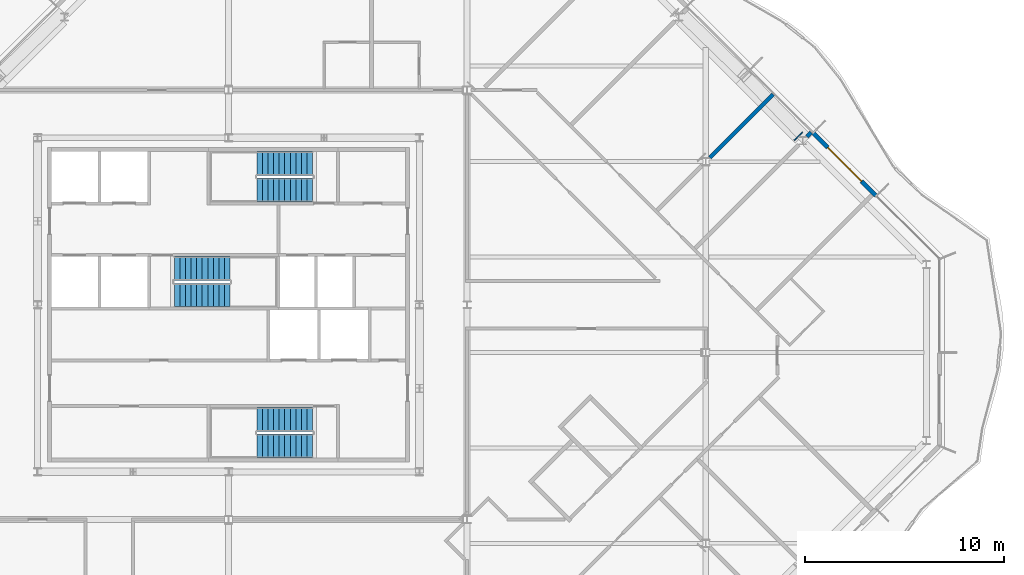
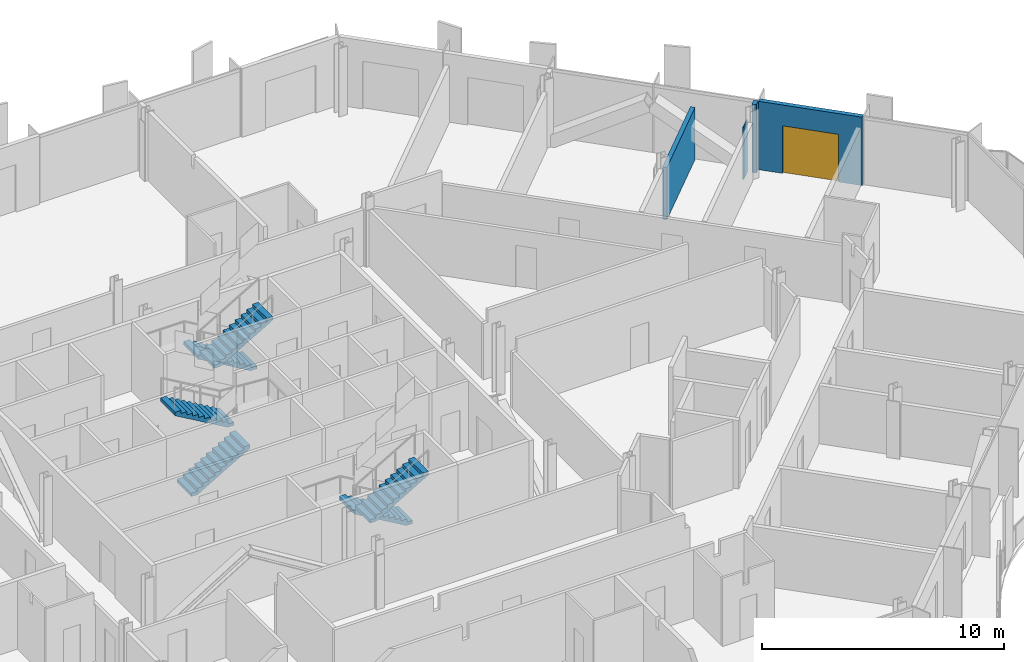
# One storey, part 12 of 17: 6 stair flights, 4 walls, 1 door, 1 opening, 3 elements without a shape of their own.
"""IFC4 building model written with IfcOpenShell, lengths in metres."""

from ifc_helpers import new_model, si_unit, direction, frame, frame_2d, origin, place, context, subcontext, project, spatial, polyline, rectangle, outline, extrude, material, layer, layer_set, type_object, element, fill, aggregate, save


model = new_model("IFC4")

# Units and contexts
model_context = context("Model", 3, precision=1e-05, world=origin(), true_north=direction((0.0, 1.0)))
body_context = subcontext(model_context, "Body", "Model", "MODEL_VIEW")
ifc_project = project(units=[si_unit("LENGTHUNIT", "METRE"), si_unit("AREAUNIT", "SQUARE_METRE"), si_unit("VOLUMEUNIT", "CUBIC_METRE"), si_unit("PLANEANGLEUNIT", "RADIAN"), si_unit("MASSUNIT", "GRAM", prefix="KILO")], contexts=[model_context])

# Site, building, storey
site_placement = place(None, origin())
site = spatial("IfcSite", under=ifc_project, at=site_placement, CompositionType="ELEMENT")
building_placement = place(site_placement, origin())
building = spatial("IfcBuilding", under=site, at=building_placement, Name="Cairn Pilgrim Tower", CompositionType="ELEMENT")
storey_placement = place(building_placement, frame((0.0, 0.0, 250.199951171875)))
storey = spatial("IfcBuildingStorey", under=building, at=storey_placement, Name="L64", CompositionType="ELEMENT", Elevation=250.199951171875)

# Wall, opening, door
ifc_material_1 = material(Name="Bronze anodised aluminium insulated sandwich panel with mineral wool fill", Category="aluminium")
ifc_layer_1 = layer(ifc_material_1, 0.199951171875)
ifc_layer_set_1 = layer_set([ifc_layer_1], Name="BRONZE INFILL FRAME WALL 200")
wall_type_1 = type_object("IfcWallType", Name="BRONZE INFILL FRAME WALL 200", PredefinedType="NOTDEFINED", material=ifc_layer_set_1)
wall_1_placement = place(storey_placement, frame((39.753173828125, 7.893310546875, 0.0), z_axis=(0.0, 0.0, 1.0), x_axis=(-0.707106781187, 0.707106781187, 0.0)))
wall_1 = element("IfcWall", 1, at=wall_1_placement, inside=storey, type_object=wall_type_1, Name="Bronze infill frame wall IW-NE2", PredefinedType="NOTDEFINED", context=body_context, shape_type="SweptSolid", body=[
    extrude(rectangle(XDim=4.430908203125, YDim=0.199951171875, at=frame_2d((2.21533203125, 0.0))), origin(), (0.0, 0.0, 1.0), 3.449951171875),
])
opening_placement = place(wall_1_placement, frame((1.015380859375, 0.0, 0.0)))
opening = element("IfcOpeningElement", 2, at=opening_placement, cuts=wall_1, Name="Opening 6407B", PredefinedType="OPENING", context=body_context, shape_type="SweptSolid", body=[
    extrude(rectangle(XDim=2.39990234375, YDim=2.39990234375, at=frame_2d((1.199951171875, 1.199951171875))), frame((0.0, 0.10986328125, 0.0), z_axis=(0.0, -1.0, 0.0), x_axis=(1.0, 0.0, 0.0)), (0.0, 0.0, 1.0), 0.219970703125),
])
ifc_material_2 = material(Name="Bronze anodised aluminium frame with tinted low-E glass", Category="aluminium")
door_type = type_object("IfcDoorType", Name="BALCONY SLIDING DOOR 2400x2400", OperationType="DOUBLE_DOOR_SLIDING", PredefinedType="DOOR", material=ifc_material_2)
door_placement = place(opening_placement, origin())
door = element("IfcDoor", 3, at=door_placement, inside=storey, type_object=door_type, Name="Balcony sliding door 6407B", OperationType="SINGLE_SWING_LEFT", OverallHeight=2.39990234375, OverallWidth=2.39990234375, PredefinedType="DOOR", context=body_context, shape_type="SweptSolid", body=[
    extrude(rectangle(XDim=2.39990234375, YDim=2.39990234375, at=frame_2d((1.199951171875, 1.199951171875))), frame((0.0, 0.02490234375, 0.0), z_axis=(0.0, -1.0, 0.0), x_axis=(1.0, 0.0, 0.0)), (0.0, 0.0, 1.0), 0.050048828125),
])
fill(opening, door)

# Walls
ifc_material_3 = material(Name="Gypsum partition")
ifc_layer_2 = layer(ifc_material_3, 0.050048828125)
ifc_layer_set_2 = layer_set([ifc_layer_2], Name="PARTITION 50 DRYWALL EI 60")
wall_type_2 = type_object("IfcWallType", Name="PARTITION 50 DRYWALL EI 60", PredefinedType="PARTITIONING", material=ifc_layer_set_2)
wall_2_placement = place(storey_placement, frame((35.652587890625, 10.669189453125, 0.0), z_axis=(0.0, 0.0, 1.0), x_axis=(0.707106781187, 0.707106781187, 0.0)))
element("IfcWall", 4, at=wall_2_placement, inside=storey, type_object=wall_type_2, Name="COLUMN CASING WC17", PredefinedType="PARTITIONING", context=body_context, shape_type="SweptSolid", body=[
    extrude(rectangle(XDim=0.573486328125, YDim=0.050048828125, at=frame_2d((0.28662109375, 0.0))), origin(), (0.0, 0.0, 1.0), 2.630126953125),
])
ifc_layer_3 = layer(ifc_material_3, 0.199951171875)
ifc_layer_set_3 = layer_set([ifc_layer_3], Name="SHAFT WALL 200 GYPSUM EI 60")
wall_type_3 = type_object("IfcWallType", Name="SHAFT WALL 200 GYPSUM EI 60", PredefinedType="PARTITIONING", material=ifc_layer_set_3)
wall_3_placement = place(storey_placement, frame((31.39794921875, 9.798095703125, 0.0), z_axis=(0.0, 0.0, 1.0), x_axis=(0.707133900936, 0.707079660397, 0.0)))
element("IfcWall", 5, at=wall_3_placement, inside=storey, type_object=wall_type_3, Name="PARTITION W067", PredefinedType="PARTITIONING", context=body_context, shape_type="SweptSolid", body=[
    extrude(rectangle(XDim=4.5009765625, YDim=0.199951171875, at=frame_2d((2.25048828125, 0.0))), origin(), (0.0, 0.0, 1.0), 2.630126953125),
])
wall_4_placement = place(storey_placement, frame((36.2783203125, 10.8544921875, 0.0), z_axis=(0.0, 0.0, 1.0), x_axis=(0.707509117806, 0.706704215511, 0.0)))
element("IfcWall", 6, at=wall_4_placement, inside=storey, type_object=wall_type_3, Name="PARTITION W068", PredefinedType="PARTITIONING", context=body_context, shape_type="SweptSolid", body=[
    extrude(rectangle(XDim=0.30322265625, YDim=0.199951171875, at=frame_2d((0.151611328125, 0.0))), origin(), (0.0, 0.0, 1.0), 3.449951171875),
])

# Stair, stair flights
ifc_material_4 = material(Name="Concrete C32/40", Category="concrete")
stair_type = type_object("IfcStairType", Name="EXIT STAIR 1200", PredefinedType="HALF_TURN_STAIR", material=ifc_material_4)
stair_1_placement = place(storey_placement, origin())
stair_1 = element("IfcStair", 7, at=stair_1_placement, inside=storey, type_object=stair_type, Name="L64 Exit Stair A", PredefinedType="HALF_TURN_STAIR")
stair_flight_type = type_object("IfcStairFlightType", Name="STAIR FLIGHT 1200", PredefinedType="STRAIGHT", material=ifc_material_4)
stair_flight_1_placement = place(storey_placement, frame((11.425048828125, -3.375, 0.0), z_axis=(0.0, 0.0, 1.0), x_axis=(-1.0, 0.0, 0.0)))
stair_flight_1 = element("IfcStairFlight", 8, at=stair_flight_1_placement, type_object=stair_flight_type, Name="ST-A flight 1", NumberOfRisers=11, NumberOfTreads=10, PredefinedType="STRAIGHT", RiserHeight=0.163636364, TreadLength=0.28, context=body_context, shape_type="SweptSolid", body=[
    extrude(outline(polyline([(0.0, 0.0), (0.0, 0.16357421875), (0.280029296875, 0.16357421875), (0.280029296875, 0.327392578125), (0.56005859375, 0.327392578125), (0.56005859375, 0.490966796875), (0.840087890625, 0.490966796875), (0.840087890625, 0.654541015625), (1.1201171875, 0.654541015625), (1.1201171875, 0.818115234375), (1.39990234375, 0.818115234375), (1.39990234375, 0.98193359375), (1.679931640625, 0.98193359375), (1.679931640625, 1.1455078125), (1.9599609375, 1.1455078125), (1.9599609375, 1.30908203125), (2.239990234375, 1.30908203125), (2.239990234375, 1.47265625), (2.52001953125, 1.47265625), (2.52001953125, 1.636474609375), (2.800048828125, 1.636474609375), (2.800048828125, 1.800048828125), (2.800048828125, 1.462646484375), (0.297119140625, 0.0), (0.0, 0.0)])), frame((0.0, 0.60009765625, 0.0), z_axis=(0.0, -1.0, 0.0), x_axis=(1.0, 0.0, 0.0)), (0.0, 0.0, 1.0), 1.199951171875),
])
stair_flight_2_placement = place(storey_placement, frame((8.625, -4.699951171875, 1.800048828125), z_axis=(0.0, 0.0, 1.0), x_axis=(1.0, 0.0, 0.0)))
stair_flight_2 = element("IfcStairFlight", 9, at=stair_flight_2_placement, type_object=stair_flight_type, Name="ST-A flight 2", NumberOfRisers=11, NumberOfTreads=10, PredefinedType="STRAIGHT", RiserHeight=0.163636364, TreadLength=0.28, context=body_context, shape_type="SweptSolid", body=[
    extrude(outline(polyline([(0.0, 0.0), (0.0, 0.16357421875), (0.280029296875, 0.16357421875), (0.280029296875, 0.327392578125), (0.56005859375, 0.327392578125), (0.56005859375, 0.490966796875), (0.840087890625, 0.490966796875), (0.840087890625, 0.654541015625), (1.1201171875, 0.654541015625), (1.1201171875, 0.818115234375), (1.39990234375, 0.818115234375), (1.39990234375, 0.98193359375), (1.679931640625, 0.98193359375), (1.679931640625, 1.1455078125), (1.9599609375, 1.1455078125), (1.9599609375, 1.30908203125), (2.239990234375, 1.30908203125), (2.239990234375, 1.47265625), (2.52001953125, 1.47265625), (2.52001953125, 1.636474609375), (2.800048828125, 1.636474609375), (2.800048828125, 1.800048828125), (2.800048828125, 1.462646484375), (0.297119140625, 0.0), (0.0, 0.0)])), frame((0.0, 0.60009765625, 0.0), z_axis=(0.0, -1.0, 0.0), x_axis=(1.0, 0.0, 0.0)), (0.0, 0.0, 1.0), 1.199951171875),
])
aggregate(stair_1, [stair_flight_1, stair_flight_2])

stair_2_placement = place(storey_placement, origin())
stair_2 = element("IfcStair", 10, at=stair_2_placement, inside=storey, type_object=stair_type, Name="L64 Exit Stair B", PredefinedType="HALF_TURN_STAIR")
stair_flight_3_placement = place(storey_placement, frame((4.47509765625, 2.875, 0.0), z_axis=(0.0, 0.0, 1.0), x_axis=(1.0, 0.0, 0.0)))
stair_flight_3 = element("IfcStairFlight", 11, at=stair_flight_3_placement, type_object=stair_flight_type, Name="ST-B flight 1", NumberOfRisers=11, NumberOfTreads=10, PredefinedType="STRAIGHT", RiserHeight=0.163636364, TreadLength=0.28, context=body_context, shape_type="SweptSolid", body=[
    extrude(outline(polyline([(0.0, 0.0), (0.0, 0.16357421875), (0.280029296875, 0.16357421875), (0.280029296875, 0.327392578125), (0.56005859375, 0.327392578125), (0.56005859375, 0.490966796875), (0.840087890625, 0.490966796875), (0.840087890625, 0.654541015625), (1.1201171875, 0.654541015625), (1.1201171875, 0.818115234375), (1.39990234375, 0.818115234375), (1.39990234375, 0.98193359375), (1.679931640625, 0.98193359375), (1.679931640625, 1.1455078125), (1.9599609375, 1.1455078125), (1.9599609375, 1.30908203125), (2.239990234375, 1.30908203125), (2.239990234375, 1.47265625), (2.52001953125, 1.47265625), (2.52001953125, 1.636474609375), (2.800048828125, 1.636474609375), (2.800048828125, 1.800048828125), (2.800048828125, 1.462646484375), (0.297119140625, 0.0), (0.0, 0.0)])), frame((0.0, 0.60009765625, 0.0), z_axis=(0.0, -1.0, 0.0), x_axis=(1.0, 0.0, 0.0)), (0.0, 0.0, 1.0), 1.199951171875),
])
stair_flight_4_placement = place(storey_placement, frame((7.27490234375, 4.22509765625, 1.800048828125), z_axis=(0.0, 0.0, 1.0), x_axis=(-1.0, 0.0, 0.0)))
stair_flight_4 = element("IfcStairFlight", 12, at=stair_flight_4_placement, type_object=stair_flight_type, Name="ST-B flight 2", NumberOfRisers=11, NumberOfTreads=10, PredefinedType="STRAIGHT", RiserHeight=0.163636364, TreadLength=0.28, context=body_context, shape_type="SweptSolid", body=[
    extrude(outline(polyline([(0.0, 0.0), (0.0, 0.16357421875), (0.280029296875, 0.16357421875), (0.280029296875, 0.327392578125), (0.56005859375, 0.327392578125), (0.56005859375, 0.490966796875), (0.840087890625, 0.490966796875), (0.840087890625, 0.654541015625), (1.1201171875, 0.654541015625), (1.1201171875, 0.818115234375), (1.39990234375, 0.818115234375), (1.39990234375, 0.98193359375), (1.679931640625, 0.98193359375), (1.679931640625, 1.1455078125), (1.9599609375, 1.1455078125), (1.9599609375, 1.30908203125), (2.239990234375, 1.30908203125), (2.239990234375, 1.47265625), (2.52001953125, 1.47265625), (2.52001953125, 1.636474609375), (2.800048828125, 1.636474609375), (2.800048828125, 1.800048828125), (2.800048828125, 1.462646484375), (0.297119140625, 0.0), (0.0, 0.0)])), frame((0.0, 0.60009765625, 0.0), z_axis=(0.0, -1.0, 0.0), x_axis=(1.0, 0.0, 0.0)), (0.0, 0.0, 1.0), 1.199951171875),
])
aggregate(stair_2, [stair_flight_3, stair_flight_4])

stair_3_placement = place(storey_placement, origin())
stair_3 = element("IfcStair", 13, at=stair_3_placement, inside=storey, type_object=stair_type, Name="L64 Exit Stair C", PredefinedType="HALF_TURN_STAIR")
stair_flight_5_placement = place(storey_placement, frame((11.425048828125, 9.5, 0.0), z_axis=(0.0, 0.0, 1.0), x_axis=(-1.0, 0.0, 0.0)))
stair_flight_5 = element("IfcStairFlight", 14, at=stair_flight_5_placement, type_object=stair_flight_type, Name="ST-C flight 1", NumberOfRisers=11, NumberOfTreads=10, PredefinedType="STRAIGHT", RiserHeight=0.163636364, TreadLength=0.28, context=body_context, shape_type="SweptSolid", body=[
    extrude(outline(polyline([(0.0, 0.0), (0.0, 0.16357421875), (0.280029296875, 0.16357421875), (0.280029296875, 0.327392578125), (0.56005859375, 0.327392578125), (0.56005859375, 0.490966796875), (0.840087890625, 0.490966796875), (0.840087890625, 0.654541015625), (1.1201171875, 0.654541015625), (1.1201171875, 0.818115234375), (1.39990234375, 0.818115234375), (1.39990234375, 0.98193359375), (1.679931640625, 0.98193359375), (1.679931640625, 1.1455078125), (1.9599609375, 1.1455078125), (1.9599609375, 1.30908203125), (2.239990234375, 1.30908203125), (2.239990234375, 1.47265625), (2.52001953125, 1.47265625), (2.52001953125, 1.636474609375), (2.800048828125, 1.636474609375), (2.800048828125, 1.800048828125), (2.800048828125, 1.462646484375), (0.297119140625, 0.0), (0.0, 0.0)])), frame((0.0, 0.60009765625, 0.0), z_axis=(0.0, -1.0, 0.0), x_axis=(1.0, 0.0, 0.0)), (0.0, 0.0, 1.0), 1.199951171875),
])
stair_flight_6_placement = place(storey_placement, frame((8.625, 8.175048828125, 1.800048828125), z_axis=(0.0, 0.0, 1.0), x_axis=(1.0, 0.0, 0.0)))
stair_flight_6 = element("IfcStairFlight", 15, at=stair_flight_6_placement, type_object=stair_flight_type, Name="ST-C flight 2", NumberOfRisers=11, NumberOfTreads=10, PredefinedType="STRAIGHT", RiserHeight=0.163636364, TreadLength=0.28, context=body_context, shape_type="SweptSolid", body=[
    extrude(outline(polyline([(0.0, 0.0), (0.0, 0.16357421875), (0.280029296875, 0.16357421875), (0.280029296875, 0.327392578125), (0.56005859375, 0.327392578125), (0.56005859375, 0.490966796875), (0.840087890625, 0.490966796875), (0.840087890625, 0.654541015625), (1.1201171875, 0.654541015625), (1.1201171875, 0.818115234375), (1.39990234375, 0.818115234375), (1.39990234375, 0.98193359375), (1.679931640625, 0.98193359375), (1.679931640625, 1.1455078125), (1.9599609375, 1.1455078125), (1.9599609375, 1.30908203125), (2.239990234375, 1.30908203125), (2.239990234375, 1.47265625), (2.52001953125, 1.47265625), (2.52001953125, 1.636474609375), (2.800048828125, 1.636474609375), (2.800048828125, 1.800048828125), (2.800048828125, 1.462646484375), (0.297119140625, 0.0), (0.0, 0.0)])), frame((0.0, 0.60009765625, 0.0), z_axis=(0.0, -1.0, 0.0), x_axis=(1.0, 0.0, 0.0)), (0.0, 0.0, 1.0), 1.199951171875),
])
aggregate(stair_3, [stair_flight_5, stair_flight_6])

save(model, "model.ifc")
